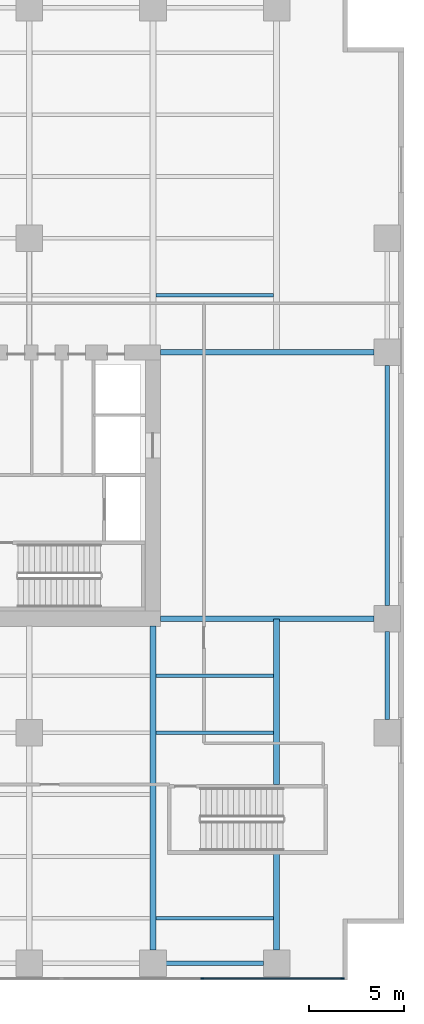
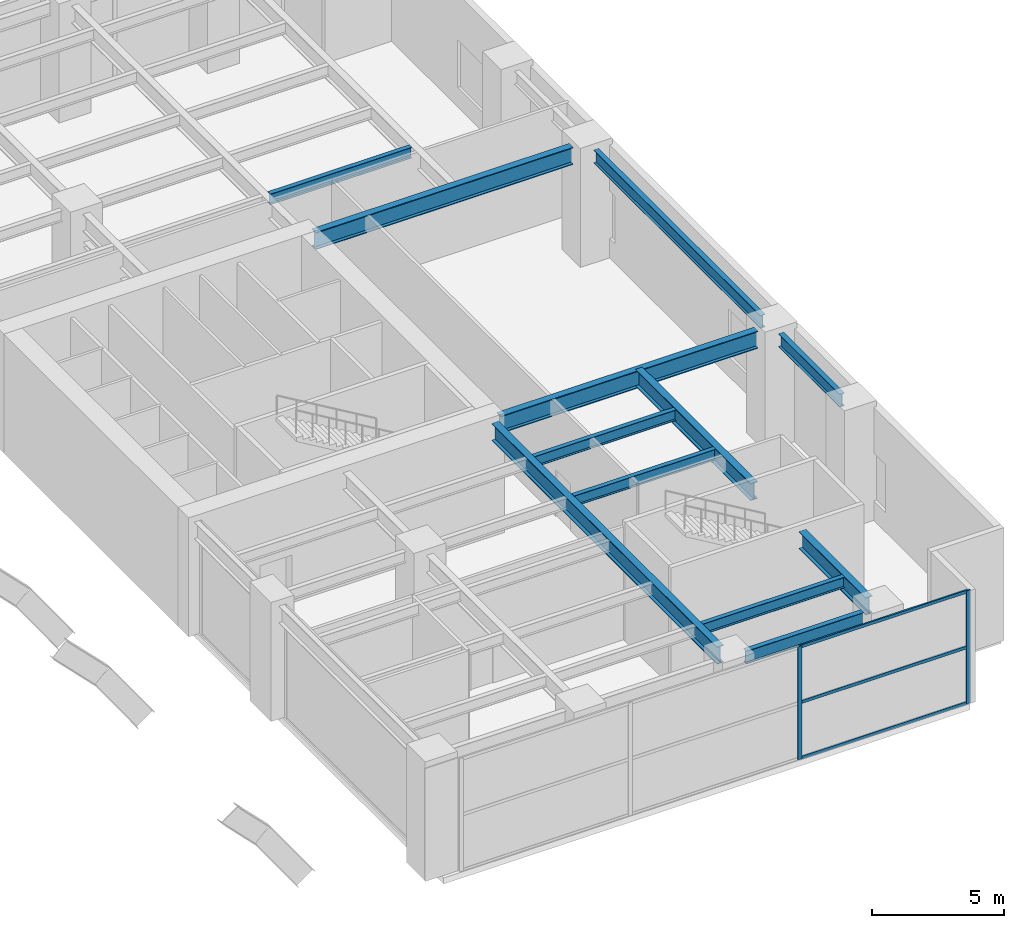
# One storey, part 8 of 18: 12 beams, 5 members, 1 element without a shape of its own.
"""IFC4 building model written with IfcOpenShell, lengths in metres."""

import ifcopenshell
import ifcopenshell.guid

model = None  # the IFC model being written
_history = None  # IfcOwnerHistory: only IFC2X3 demands one
_inside = {}  # id of a spatial element -> (the spatial element, [elements in it])
_under = {}  # id of a project, library or spatial element -> (it, [spatial elements below it])
_declared = {}  # id of a project -> (the project, [libraries it declares])
_typed = {}  # id of a type object -> (the type object, [elements of that type])
_made_of = {}  # id of a material, layer set ... -> (it, [elements and type objects made of it])


def new_model(schema):
    """Start an empty IFC model of exactly this schema.

    Asked for "IFC4X3", IfcOpenShell would pick the latest addendum, in which some entities
    have other attributes; the version numbers below select the first issue.
    IFC2X3 requires an IfcOwnerHistory on every rooted entity: one is made here for all.
    """
    global model, _history
    if schema == "IFC4X3":
        model = ifcopenshell.file(schema_version=(4, 3, 0, 0))
    else:
        model = ifcopenshell.file(schema=schema)
    _inside.clear()
    _under.clear()
    _declared.clear()
    _typed.clear()
    _made_of.clear()
    _history = None
    if model.schema == "IFC2X3":
        org = make("IfcOrganization", Name="unknown")
        user = make(
            "IfcPersonAndOrganization",
            ThePerson=make("IfcPerson", FamilyName="unknown"),
            TheOrganization=org,
        )
        app = make(
            "IfcApplication",
            ApplicationDeveloper=org,
            Version="unknown",
            ApplicationFullName="unknown",
            ApplicationIdentifier="unknown",
        )
        _history = make(
            "IfcOwnerHistory",
            OwningUser=user,
            OwningApplication=app,
            ChangeAction="ADDED",
            CreationDate=0,
        )
    return model


def make(cls, **values):
    """One entity of the class cls with the attributes given. An attribute that is None is left unset."""
    return model.create_entity(
        cls, **{name: value for name, value in values.items() if value is not None}
    )


def rooted(cls, **values):
    """An entity with a GlobalId (a new one), such as an element, a storey or a relation."""
    return make(cls, GlobalId=ifcopenshell.guid.new(), OwnerHistory=_history, **values)


def si_unit(unit_type, name, prefix=None):
    """IfcSIUnit, for example si_unit("LENGTHUNIT", "METRE", prefix="MILLI")."""
    return make("IfcSIUnit", UnitType=unit_type, Prefix=prefix, Name=name)


def assignment(units):
    """IfcUnitAssignment: the units of a project."""
    return None if units is None else make("IfcUnitAssignment", Units=units)


def point(xyz):
    """IfcCartesianPoint."""
    return None if xyz is None else make("IfcCartesianPoint", Coordinates=xyz)


def direction(xyz):
    """IfcDirection."""
    return None if xyz is None else make("IfcDirection", DirectionRatios=xyz)


def frame(location, z_axis=None, x_axis=None):
    """IfcAxis2Placement3D, a coordinate frame: its origin and axes. An axis left out is left unset."""
    return make(
        "IfcAxis2Placement3D",
        Location=point(location),
        Axis=direction(z_axis),
        RefDirection=direction(x_axis),
    )


def frame_2d(location, x_axis=None):
    """IfcAxis2Placement2D, a coordinate frame in the plane: its origin and x axis."""
    return make(
        "IfcAxis2Placement2D", Location=point(location), RefDirection=direction(x_axis)
    )


def origin():
    """The frame at (0, 0, 0) with its axes left unset."""
    return frame((0.0, 0.0, 0.0))


def origin_2d():
    """The frame at (0, 0) in the plane with its x axis left unset."""
    return frame_2d((0.0, 0.0))


def place(relative_to, where):
    """IfcLocalPlacement: puts the frame where relative to a parent placement (None: the world)."""
    return make(
        "IfcLocalPlacement", PlacementRelTo=relative_to, RelativePlacement=where
    )


def context(
    kind, dimensions, precision=None, world=None, true_north=None, identifier=None
):
    """IfcGeometricRepresentationContext, for example the 3D "Model" context."""
    return make(
        "IfcGeometricRepresentationContext",
        ContextIdentifier=identifier,
        ContextType=kind,
        CoordinateSpaceDimension=dimensions,
        Precision=precision,
        WorldCoordinateSystem=world,
        TrueNorth=true_north,
    )


def subcontext(parent, identifier, kind, view, scale=None):
    """IfcGeometricRepresentationSubContext, for example "Body" below "Model"."""
    return make(
        "IfcGeometricRepresentationSubContext",
        ContextIdentifier=identifier,
        ContextType=kind,
        ParentContext=parent,
        TargetScale=scale,
        TargetView=view,
    )


def project(units=None, contexts=None):
    """IfcProject with its units and contexts."""
    return rooted(
        "IfcProject",
        Name="project",
        RepresentationContexts=contexts,
        UnitsInContext=assignment(units),
    )


def spatial(cls, under=None, at=None, **own):
    """A site, building, storey or space (cls), placed at a placement, below another one or the project."""
    s = rooted(cls, ObjectPlacement=at, **own)
    if under is not None:
        _under.setdefault(under.id(), (under, []))[1].append(s)
    return s


def profile(cls, at=None, kind="AREA", **sizes):
    """A parametric profile (cls). Its sizes go by their IFC names, for example OverallWidth=200.0."""
    return make(cls, ProfileType=kind, Position=at, **sizes)


def rectangle(**sizes):
    """IfcRectangleProfileDef."""
    return profile("IfcRectangleProfileDef", **sizes)


def i_section(**sizes):
    """IfcIShapeProfileDef."""
    return profile("IfcIShapeProfileDef", **sizes)


def extrude(swept, where, along, depth):
    """IfcExtrudedAreaSolid: the profile swept, set in the frame where, extruded along a direction by depth."""
    return make(
        "IfcExtrudedAreaSolid",
        SweptArea=swept,
        Position=where,
        ExtrudedDirection=direction(along),
        Depth=depth,
    )


def shape(context_of_items, identifier, shape_type, items):
    """IfcShapeRepresentation: the items that make up one representation, for example the "Body"."""
    return make(
        "IfcShapeRepresentation",
        ContextOfItems=context_of_items,
        RepresentationIdentifier=identifier,
        RepresentationType=shape_type,
        Items=items,
    )


def material(Name=None, Category=None):
    """IfcMaterial."""
    return make("IfcMaterial", Name=Name, Category=Category)


def layer(
    of_material, thickness, ventilated=None, Name=None, Category=None, Priority=None
):
    """IfcMaterialLayer: one layer of a wall or slab, of a material (None: an air gap)."""
    return make(
        "IfcMaterialLayer",
        Material=of_material,
        LayerThickness=thickness,
        IsVentilated=ventilated,
        Name=Name,
        Category=Category,
        Priority=Priority,
    )


def layer_set(layers, Name=None):
    """IfcMaterialLayerSet."""
    return make("IfcMaterialLayerSet", MaterialLayers=layers, LayerSetName=Name)


def material_profile(
    of_material, cross_section, Name=None, Category=None, Priority=None
):
    """IfcMaterialProfile: a cross section and its material."""
    return make(
        "IfcMaterialProfile",
        Name=Name,
        Material=of_material,
        Profile=cross_section,
        Priority=Priority,
        Category=Category,
    )


def profile_set(profiles, Name=None, composite=None):
    """IfcMaterialProfileSet."""
    return make(
        "IfcMaterialProfileSet",
        Name=Name,
        MaterialProfiles=profiles,
        CompositeProfile=composite,
    )


def made_of(thing, what):
    """Note that an element or type object is made of a material, layer set ...; save() writes the relation."""
    if what is not None:
        _made_of.setdefault(what.id(), (what, []))[1].append(thing)
    return thing


def type_object(cls, material=None, **own):
    """A type object (cls), such as IfcWallType, which elements share."""
    return made_of(rooted(cls, **own), material)


def element(
    cls,
    number,
    at=None,
    inside=None,
    cuts=None,
    type_object=None,
    material=None,
    context=None,
    identifier="Body",
    shape_type=None,
    held_by="IfcProductDefinitionShape",
    body=None,
    shapes=None,
    **own,
):
    """One element of the class cls, such as IfcWall. Its Tag is "e" and its number.

    at: its placement. inside: the storey or other place that contains it. cuts: it is an
    opening in that element (IfcRelVoidsElement). A single representation is given by context,
    identifier, shape_type and body (its items); several are given by shapes. held_by: the class
    of the entity that holds the representations. save() writes the other relations.
    """
    e = rooted(cls, Tag="e%d" % number, ObjectPlacement=at, **own)
    if body is not None:
        shapes = [shape(context, identifier, shape_type, body)]
    if shapes is not None:
        e.Representation = make(held_by, Representations=shapes)
    if inside is not None:
        _inside.setdefault(inside.id(), (inside, []))[1].append(e)
    if cuts is not None:
        rooted(
            "IfcRelVoidsElement", RelatingBuildingElement=cuts, RelatedOpeningElement=e
        )
    if type_object is not None:
        _typed.setdefault(type_object.id(), (type_object, []))[1].append(e)
    return made_of(e, material)


def aggregate(whole, parts):
    """IfcRelAggregates: a whole, such as a stair, and the parts it consists of."""
    return rooted("IfcRelAggregates", RelatingObject=whole, RelatedObjects=parts)


def save(model, path):
    """Write the relations noted so far, then the file.

    IfcRelAggregates (storeys below a building ...), IfcRelContainedInSpatialStructure (elements
    in a storey), IfcRelDefinesByType, IfcRelAssociatesMaterial and IfcRelDeclares: one each for
    every whole, place, type object, material and project.
    """
    for whole, parts in _under.values():
        aggregate(whole, parts)
    for where, things in _inside.values():
        rooted(
            "IfcRelContainedInSpatialStructure",
            RelatedElements=things,
            RelatingStructure=where,
        )
    for kind, things in _typed.values():
        rooted("IfcRelDefinesByType", RelatedObjects=things, RelatingType=kind)
    for what, things in _made_of.values():
        rooted("IfcRelAssociatesMaterial", RelatedObjects=things, RelatingMaterial=what)
    for by, libraries in _declared.values():
        rooted("IfcRelDeclares", RelatingContext=by, RelatedDefinitions=libraries)
    model.write(path)


model = new_model("IFC4")

# Units and contexts
model_context = context("Model", 3, precision=1e-05, world=origin(), true_north=direction((0.0, 1.0)))
body_context = subcontext(model_context, "Body", "Model", "MODEL_VIEW")
ifc_project = project(units=[si_unit("LENGTHUNIT", "METRE"), si_unit("AREAUNIT", "SQUARE_METRE"), si_unit("VOLUMEUNIT", "CUBIC_METRE"), si_unit("PLANEANGLEUNIT", "RADIAN"), si_unit("MASSUNIT", "GRAM", prefix="KILO")], contexts=[model_context])

# Site, building, storey
site_placement = place(None, origin())
site = spatial("IfcSite", under=ifc_project, at=site_placement, CompositionType="ELEMENT")
building_placement = place(site_placement, origin())
building = spatial("IfcBuilding", under=site, at=building_placement, Name="Putna Gate Headquarters", CompositionType="ELEMENT")
storey_placement = place(building_placement, frame((0.0, 0.0, 11.5)))
storey = spatial("IfcBuildingStorey", under=building, at=storey_placement, Name="L02", CompositionType="ELEMENT", Elevation=11.5)

# Beams
ifc_material_1 = material(Name="Steel S355J2", Category="steel")
ifc_material_profile_1 = material_profile(ifc_material_1, i_section(OverallWidth=0.300048828125, OverallDepth=0.800048828125, WebThickness=0.017578125, FlangeThickness=0.032958984375, at=origin_2d()), Name="Steel S355J2")
ifc_profile_set_1 = profile_set([ifc_material_profile_1], Name="Steel S355J2")
beam_type_1 = type_object("IfcBeamType", Name="BM-GIRD-P-HEB800", PredefinedType="USERDEFINED", material=ifc_profile_set_1)
for number, where, z_axis, x_axis, name in (
    (1, (65.385009765625, 19.0, 4.820068359375), (1.0, 0.0, 0.0), (0.0, 1.0, 0.0), "L02 East Wing Girder Y19"),
    (2, (65.385009765625, 33.0, 4.820068359375), (1.0, 0.0, 0.0), (0.0, 1.0, 0.0), "L02 East Wing Girder Y33"),
):
    element("IfcBeam", number, at=place(storey_placement, frame(where, z_axis=z_axis, x_axis=x_axis)), inside=storey, type_object=beam_type_1, Name=name, ObjectType="GIRDER", PredefinedType="USERDEFINED", context=body_context, shape_type="SweptSolid", body=[
        extrude(i_section(OverallWidth=0.300048828125, OverallDepth=0.800048828125, WebThickness=0.017578125, FlangeThickness=0.032958984375, at=origin_2d()), origin(), (0.0, 0.0, 1.0), 11.2470703125),
    ])
beam_1_placement = place(storey_placement, frame((65.0, 1.568115234375, 4.820068359375), z_axis=(0.0, 1.0, 0.0), x_axis=(-1.0, 0.0, 0.0)))
element("IfcBeam", 3, at=beam_1_placement, inside=storey, type_object=beam_type_1, Name="L02 South Primary Girder X65", ObjectType="GIRDER", PredefinedType="USERDEFINED", context=body_context, shape_type="SweptSolid", body=[
    extrude(i_section(OverallWidth=0.300048828125, OverallDepth=0.800048828125, WebThickness=0.017578125, FlangeThickness=0.032958984375, at=origin_2d()), origin(), (0.0, 0.0, 1.0), 17.046875),
])
beam_2_placement = place(storey_placement, frame((71.5, 1.568115234375, 4.820068359375), z_axis=(0.0, 1.0, 0.0), x_axis=(-1.0, 0.0, 0.0)))
element("IfcBeam", 4, at=beam_2_placement, inside=storey, type_object=beam_type_1, Name="L02 South Girder X71-A", ObjectType="GIRDER", PredefinedType="USERDEFINED", context=body_context, shape_type="SweptSolid", body=[
    extrude(i_section(OverallWidth=0.300048828125, OverallDepth=0.800048828125, WebThickness=0.017578125, FlangeThickness=0.032958984375, at=origin_2d()), origin(), (0.0, 0.0, 1.0), 5.056884765625),
])
beam_3_placement = place(storey_placement, frame((71.5, 10.27490234375, 4.820068359375), z_axis=(0.0, 1.0, 0.0), x_axis=(-1.0, 0.0, 0.0)))
element("IfcBeam", 5, at=beam_3_placement, inside=storey, type_object=beam_type_1, Name="L02 South Girder X71-B", ObjectType="GIRDER", PredefinedType="USERDEFINED", context=body_context, shape_type="SweptSolid", body=[
    extrude(i_section(OverallWidth=0.300048828125, OverallDepth=0.800048828125, WebThickness=0.017578125, FlangeThickness=0.032958984375, at=origin_2d()), origin(), (0.0, 0.0, 1.0), 8.713134765625),
])
ifc_material_profile_2 = material_profile(ifc_material_1, i_section(OverallWidth=0.199951171875, OverallDepth=0.5, WebThickness=0.01025390625, FlangeThickness=0.01611328125, at=origin_2d()), Name="Steel S355J2")
ifc_profile_set_2 = profile_set([ifc_material_profile_2], Name="Steel S355J2")
beam_type_2 = type_object("IfcBeamType", Name="BM-SEC-P-IPE500", PredefinedType="BEAM", material=ifc_profile_set_2)
for number, where, z_axis, x_axis, name in (
    (6, (65.154052734375, 3.25, 4.969970703125), (1.0, 0.0, 0.0), (0.0, 1.0, 0.0), "L02 South Secondary Beam 7"),
    (7, (65.154052734375, 13.0, 4.969970703125), (1.0, 0.0, 0.0), (0.0, 1.0, 0.0), "L02 South Secondary Beam 7"),
    (8, (65.154052734375, 16.0, 4.969970703125), (1.0, 0.0, 0.0), (0.0, 1.0, 0.0), "L02 South Secondary Beam 7"),
    (9, (65.154052734375, 36.0, 4.969970703125), (1.0, 0.0, 0.0), (0.0, 1.0, 0.0), "L02 North Secondary Beam 7"),
):
    element("IfcBeam", number, at=place(storey_placement, frame(where, z_axis=z_axis, x_axis=x_axis)), inside=storey, type_object=beam_type_2, Name=name, PredefinedType="BEAM", context=body_context, shape_type="SweptSolid", body=[
        extrude(i_section(OverallWidth=0.199951171875, OverallDepth=0.5, WebThickness=0.01025390625, FlangeThickness=0.01611328125, at=origin_2d()), origin(), (0.0, 0.0, 1.0), 6.19189453125),
    ])
ifc_material_profile_3 = material_profile(ifc_material_1, i_section(OverallWidth=0.219970703125, OverallDepth=0.60009765625, WebThickness=0.011962890625, FlangeThickness=0.01904296875, at=origin_2d()), Name="Steel S355J2")
ifc_profile_set_3 = profile_set([ifc_material_profile_3], Name="Steel S355J2")
beam_type_3 = type_object("IfcBeamType", Name="BM-SPAN-P-IPE600", PredefinedType="SPANDREL", material=ifc_profile_set_3)
beam_4_placement = place(storey_placement, frame((65.68798828125, 0.8798828125, 4.919921875), z_axis=(1.0, 0.0, 0.0), x_axis=(0.0, 1.0, 0.0)))
element("IfcBeam", 10, at=beam_4_placement, inside=storey, type_object=beam_type_3, Name="L02 S Perimeter Spandrel 7", PredefinedType="SPANDREL", context=body_context, shape_type="SweptSolid", body=[
    extrude(i_section(OverallWidth=0.219970703125, OverallDepth=0.60009765625, WebThickness=0.011962890625, FlangeThickness=0.01904296875, at=origin_2d()), origin(), (0.0, 0.0, 1.0), 5.1240234375),
])
beam_5_placement = place(storey_placement, frame((77.320068359375, 13.68798828125, 4.919921875), z_axis=(0.0, 1.0, 0.0), x_axis=(-1.0, 0.0, 0.0)))
element("IfcBeam", 11, at=beam_5_placement, inside=storey, type_object=beam_type_3, Name="L02 E End Spandrel 1", PredefinedType="SPANDREL", context=body_context, shape_type="SweptSolid", body=[
    extrude(i_section(OverallWidth=0.219970703125, OverallDepth=0.60009765625, WebThickness=0.011962890625, FlangeThickness=0.01904296875, at=origin_2d()), origin(), (0.0, 0.0, 1.0), 4.6240234375),
])
beam_6_placement = place(storey_placement, frame((77.320068359375, 19.68798828125, 4.919921875), z_axis=(0.0, 1.0, 0.0), x_axis=(-1.0, 0.0, 0.0)))
element("IfcBeam", 12, at=beam_6_placement, inside=storey, type_object=beam_type_3, Name="L02 E End Spandrel 2", PredefinedType="SPANDREL", context=body_context, shape_type="SweptSolid", body=[
    extrude(i_section(OverallWidth=0.219970703125, OverallDepth=0.60009765625, WebThickness=0.011962890625, FlangeThickness=0.01904296875, at=origin_2d()), origin(), (0.0, 0.0, 1.0), 12.6240234375),
])

# Curtain wall, members
ifc_material_2 = material(Name="Anodised bronze aluminium curtain wall", Category="aluminium")
ifc_layer = layer(ifc_material_2, 0.179931640625)
ifc_layer_set = layer_set([ifc_layer], Name="Anodised bronze aluminium curtain wall")
curtain_wall_type = type_object("IfcCurtainWallType", Name="CW-SYS-POD", PredefinedType="USERDEFINED", material=ifc_layer_set)
curtain_wall_placement = place(storey_placement, origin())
curtain_wall = element("IfcCurtainWall", 13, at=curtain_wall_placement, inside=storey, type_object=curtain_wall_type, Name="L02 South East Curtain Wall", ObjectType="STICK CURTAIN WALL", PredefinedType="USERDEFINED")
ifc_material_3 = material(Name="Anodised bronze aluminium EN AW-6060", Category="aluminium")
ifc_material_profile_4 = material_profile(ifc_material_3, rectangle(XDim=0.070068359375, YDim=0.179931640625, at=origin_2d()), Name="Anodised bronze aluminium EN AW-6060")
ifc_profile_set_4 = profile_set([ifc_material_profile_4], Name="Anodised bronze aluminium EN AW-6060")
member_type_1 = type_object("IfcMemberType", Name="MULL-CWM-P", PredefinedType="MULLION", material=ifc_profile_set_4)
member_1_placement = place(storey_placement, frame((67.59326171875, 0.080078125, 0.0), z_axis=(0.0, 0.0, 1.0), x_axis=(0.0, 1.0, 0.0)))
member_1 = element("IfcMember", 14, at=member_1_placement, type_object=member_type_1, Name="CWS-P mullion 3", PredefinedType="MULLION", context=body_context, shape_type="SweptSolid", body=[
    extrude(rectangle(XDim=0.070068359375, YDim=0.179931640625, at=origin_2d()), origin(), (0.0, 0.0, 1.0), 5.219970703125),
])
member_2_placement = place(storey_placement, frame((74.965087890625, 0.080078125, 0.0), z_axis=(0.0, 0.0, 1.0), x_axis=(0.0, 1.0, 0.0)))
member_2 = element("IfcMember", 15, at=member_2_placement, type_object=member_type_1, Name="CWS-P mullion 4", PredefinedType="MULLION", context=body_context, shape_type="SweptSolid", body=[
    extrude(rectangle(XDim=0.070068359375, YDim=0.179931640625, at=origin_2d()), origin(), (0.0, 0.0, 1.0), 5.219970703125),
])
ifc_material_profile_5 = material_profile(ifc_material_3, rectangle(XDim=0.070068359375, YDim=0.139892578125, at=origin_2d()), Name="Anodised bronze aluminium EN AW-6060")
ifc_profile_set_5 = profile_set([ifc_material_profile_5], Name="Anodised bronze aluminium EN AW-6060")
member_type_2 = type_object("IfcMemberType", Name="TRAN-CWT-P", PredefinedType="USERDEFINED", material=ifc_profile_set_5)
member_3_placement = place(storey_placement, frame((67.62841796875, 0.080078125, 0.034912109375), z_axis=(1.0, 0.0, 0.0), x_axis=(0.0, 1.0, 0.0)))
member_3 = element("IfcMember", 16, at=member_3_placement, type_object=member_type_2, Name="CWS-P transom 3.1", ObjectType="TRANSOM", PredefinedType="USERDEFINED", context=body_context, shape_type="SweptSolid", body=[
    extrude(rectangle(XDim=0.070068359375, YDim=0.139892578125, at=origin_2d()), origin(), (0.0, 0.0, 1.0), 7.301513671875),
])
member_4_placement = place(storey_placement, frame((67.62841796875, 0.080078125, 2.610107421875), z_axis=(1.0, 0.0, 0.0), x_axis=(0.0, 1.0, 0.0)))
member_4 = element("IfcMember", 17, at=member_4_placement, type_object=member_type_2, Name="CWS-P transom 3.2", ObjectType="TRANSOM", PredefinedType="USERDEFINED", context=body_context, shape_type="SweptSolid", body=[
    extrude(rectangle(XDim=0.070068359375, YDim=0.139892578125, at=origin_2d()), origin(), (0.0, 0.0, 1.0), 7.301513671875),
])
member_5_placement = place(storey_placement, frame((67.62841796875, 0.080078125, 5.18505859375), z_axis=(1.0, 0.0, 0.0), x_axis=(0.0, 1.0, 0.0)))
member_5 = element("IfcMember", 18, at=member_5_placement, type_object=member_type_2, Name="CWS-P transom 3.3", ObjectType="TRANSOM", PredefinedType="USERDEFINED", context=body_context, shape_type="SweptSolid", body=[
    extrude(rectangle(XDim=0.070068359375, YDim=0.139892578125, at=origin_2d()), origin(), (0.0, 0.0, 1.0), 7.301513671875),
])
aggregate(curtain_wall, [member_1, member_2, member_3, member_4, member_5])

save(model, "model.ifc")
